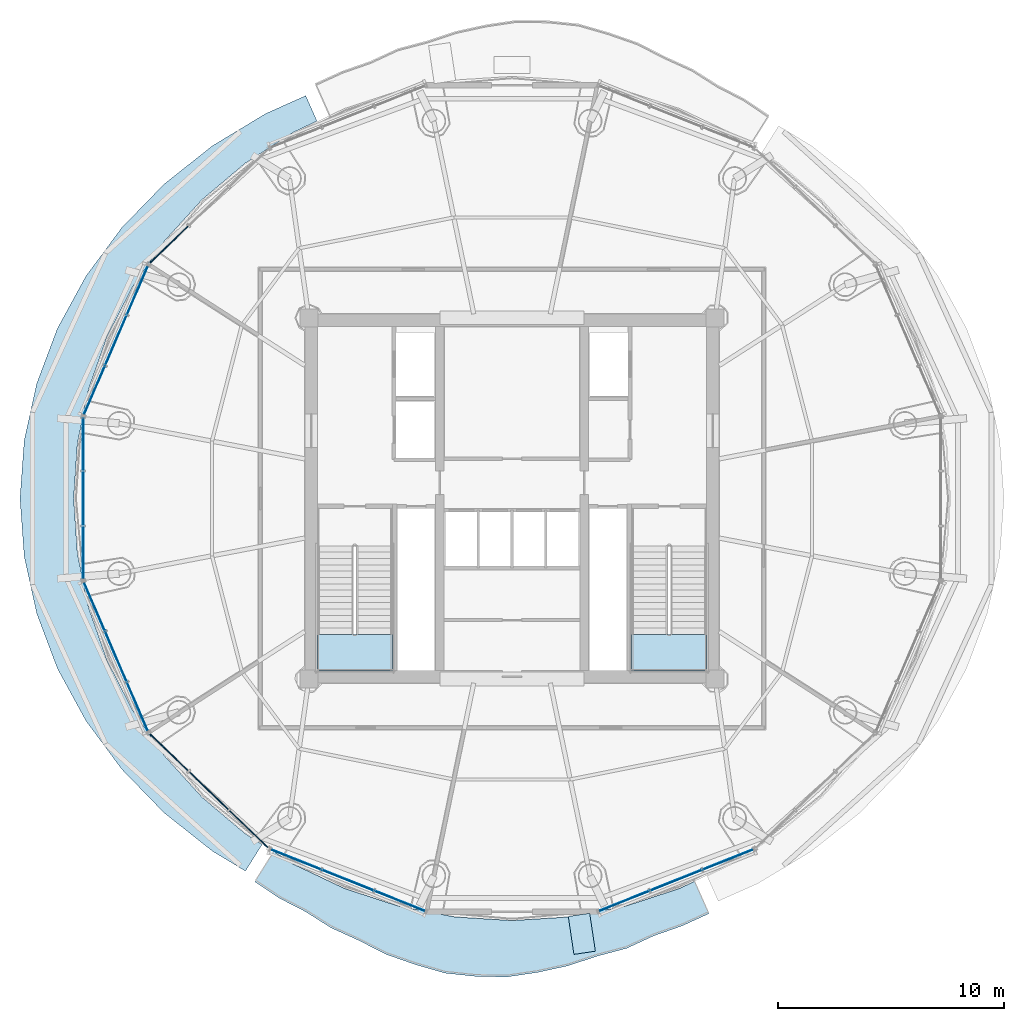
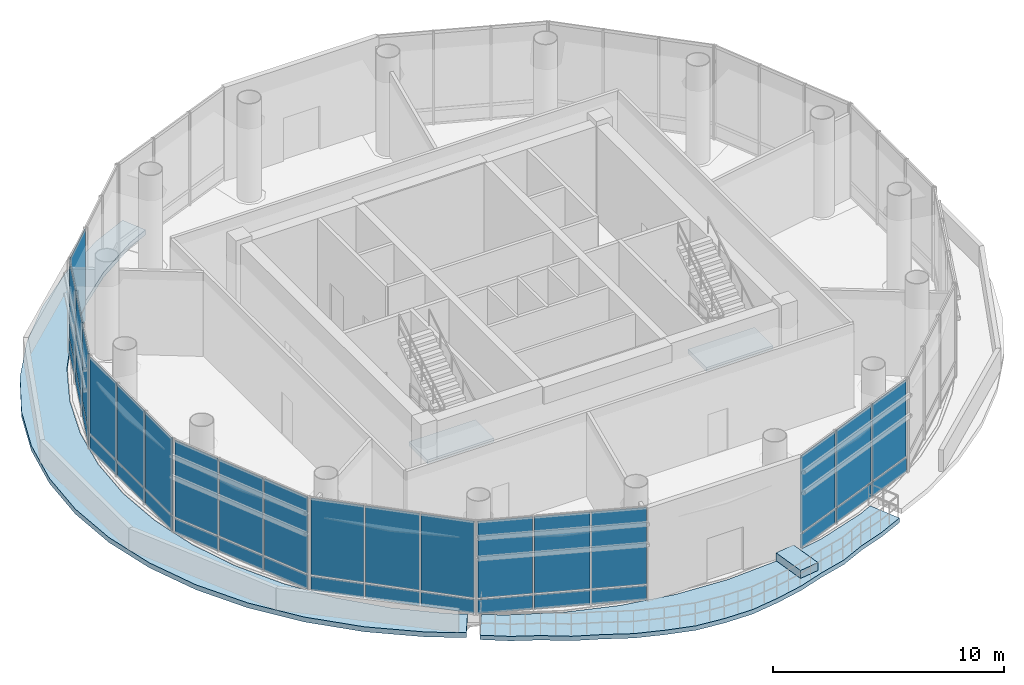
# One storey, part 14 of 22: 38 plates, 5 slabs, 9 elements without a shape of their own.
"""IFC4 building model written with IfcOpenShell, lengths in metres."""

from ifc_helpers import new_model, si_unit, direction, frame, origin, origin_2d, place, context, subcontext, project, spatial, polyline, rectangle, outline, extrude, source, transform, mapped, material, layer, layer_set, type_object, element, aggregate, save


model = new_model("IFC4")

# Units and contexts
model_context = context("Model", 3, precision=1e-05, world=origin(), true_north=direction((-0.2419218956, 0.970295726276)))
body_context = subcontext(model_context, "Body", "Model", "MODEL_VIEW")
ifc_project = project(units=[si_unit("LENGTHUNIT", "METRE"), si_unit("AREAUNIT", "SQUARE_METRE"), si_unit("VOLUMEUNIT", "CUBIC_METRE"), si_unit("PLANEANGLEUNIT", "RADIAN"), si_unit("MASSUNIT", "GRAM", prefix="KILO")], contexts=[model_context])

# Site, building, storey
site_placement = place(None, origin())
site = spatial("IfcSite", under=ifc_project, at=site_placement, CompositionType="ELEMENT")
building_placement = place(site_placement, origin())
building = spatial("IfcBuilding", under=site, at=building_placement, Name="Cobrevalo Terracotta Tower", CompositionType="ELEMENT")
storey_placement = place(building_placement, frame((0.0, 0.0, 243.0)))
storey = spatial("IfcBuildingStorey", under=building, at=storey_placement, Name="L64", CompositionType="ELEMENT", Elevation=243.0)

# Stair, slab
ifc_material_1 = material(Name="Concrete C50", Category="concrete")
stair_type = type_object("IfcStairType", Name="Core protected escape dogleg stair 1600", PredefinedType="HALF_TURN_STAIR", material=ifc_material_1)
stair_1_placement = place(storey_placement, origin())
stair_1 = element("IfcStair", 1, at=stair_1_placement, inside=storey, type_object=stair_type, Name="L64 Protected exit stair ST-1", PredefinedType="HALF_TURN_STAIR")
ifc_layer_1 = layer(ifc_material_1, 0.199951171875)
ifc_layer_set_1 = layer_set([ifc_layer_1], Name="Concrete C50")
slab_type_1 = type_object("IfcSlabType", Name="Reinforced Concrete Stair Landing 200", PredefinedType="LANDING", material=ifc_layer_set_1)
slab_1_placement = place(storey_placement, frame((0.0, 0.0, 2.39990234375)))
slab_1 = element("IfcSlab", 2, at=slab_1_placement, type_object=slab_type_1, Name="ST-1 landing 1", PredefinedType="LANDING", context=body_context, shape_type="SweptSolid", body=[
    extrude(outline(polyline([(29.375, 20.780029296875), (29.375, 19.175048828125), (32.695068359375, 19.175048828125), (32.695068359375, 20.780029296875), (29.375, 20.780029296875)])), origin(), (0.0, 0.0, 1.0), 0.2001953125),
])
aggregate(stair_1, [slab_1])

stair_2_placement = place(storey_placement, origin())
stair_2 = element("IfcStair", 3, at=stair_2_placement, inside=storey, type_object=stair_type, Name="L64 Protected exit stair ST-2", PredefinedType="HALF_TURN_STAIR")
slab_2_placement = place(storey_placement, frame((0.0, 0.0, 2.39990234375)))
slab_2 = element("IfcSlab", 4, at=slab_2_placement, type_object=slab_type_1, Name="ST-2 landing 1", PredefinedType="LANDING", context=body_context, shape_type="SweptSolid", body=[
    extrude(outline(polyline([(43.304931640625, 20.780029296875), (43.304931640625, 19.175048828125), (46.625, 19.175048828125), (46.625, 20.780029296875), (43.304931640625, 20.780029296875)])), origin(), (0.0, 0.0, 1.0), 0.2001953125),
])
aggregate(stair_2, [slab_2])

# Slabs
ifc_material_2 = material(Name="Concrete C45", Category="concrete")
ifc_layer_2 = layer(ifc_material_2, 0.235107421875)
ifc_layer_set_2 = layer_set([ifc_layer_2], Name="Concrete C45")
slab_type_2 = type_object("IfcSlabType", Name="Sky-terrace & stepped lobe balcony slab 235 mm", PredefinedType="FLOOR", material=ifc_layer_set_2)
slab_3_placement = place(storey_placement, frame((0.0, 0.0, -0.235107421875)))
element("IfcSlab", 5, at=slab_3_placement, inside=storey, type_object=slab_type_2, Name="L64 spiralling arc balcony slab lobe 2", PredefinedType="FLOOR", context=body_context, shape_type="SweptSolid", body=[
    extrude(outline(polyline([(26.6025390625, 9.822021484375), (27.68798828125, 9.090576171875), (28.8564453125, 8.488525390625), (29.98583984375, 7.7734375), (31.20458984375, 7.220947265625), (32.423583984375, 6.598388671875), (33.715576171875, 6.148193359375), (35.04052734375, 5.765869140625), (36.407958984375, 5.622314453125), (37.783203125, 5.599365234375), (39.146728515625, 5.802734375), (40.485595703125, 6.0947265625), (41.78076171875, 6.522705078125), (43.072998046875, 6.865234375), (44.290771484375, 7.426025390625), (45.533447265625, 7.8603515625), (46.725830078125, 8.404541015625), (46.090576171875, 9.838134765625), (45.4248046875, 9.521484375), (43.021728515625, 8.7353515625), (40.532470703125, 8.258056640625), (38.0, 8.097900390625), (35.467529296875, 8.258056640625), (32.978271484375, 8.7353515625), (30.5751953125, 9.521484375), (28.299072265625, 10.603515625), (27.43994140625, 11.156982421875), (26.6025390625, 9.822021484375)])), origin(), (0.0, 0.0, 1.0), 0.235107421875),
])
ifc_material_3 = material(Name="Precast concrete C45", Category="concrete")
ifc_layer_3 = layer(ifc_material_3, 0.419921875)
ifc_layer_set_3 = layer_set([ifc_layer_3], Name="Precast concrete C45")
slab_type_3 = type_object("IfcSlabType", Name="Structural tree planter trough base 420 mm", PredefinedType="USERDEFINED", material=ifc_layer_set_3)
slab_4_placement = place(storey_placement, origin())
element("IfcSlab", 6, at=slab_4_placement, inside=storey, type_object=slab_type_3, Name="L64 structural tree planter trough 2", ObjectType="PLANTER", PredefinedType="USERDEFINED", context=body_context, shape_type="SweptSolid", body=[
    extrude(outline(polyline([(40.4931640625, 8.279541015625), (40.744384765625, 6.59814453125), (41.69384765625, 6.739990234375), (41.442626953125, 8.42138671875), (40.4931640625, 8.279541015625)])), origin(), (0.0, 0.0, 1.0), 0.419921875),
])
ifc_layer_4 = layer(ifc_material_2, 0.260009765625)
ifc_layer_set_4 = layer_set([ifc_layer_4], Name="Concrete C45")
slab_type_4 = type_object("IfcSlabType", Name="Zone setback structural roof slab 260 mm", PredefinedType="ROOF", material=ifc_layer_set_4)
slab_5_placement = place(storey_placement, frame((0.0, 0.0, -0.260009765625)))
element("IfcSlab", 7, at=slab_5_placement, inside=storey, type_object=slab_type_4, Name="L64 zone setback roof collar slab 2", PredefinedType="ROOF", context=body_context, shape_type="SweptSolid", body=[
    extrude(outline(polyline([(24.72900390625, 11.1708984375), (22.5849609375, 12.8701171875), (20.704833984375, 14.807373046875), (19.12060546875, 16.949951171875), (17.859375, 19.26123046875), (16.94287109375, 21.701171875), (16.386474609375, 24.228515625), (16.199951171875, 26.800048828125), (16.386474609375, 29.371337890625), (16.94287109375, 31.898681640625), (17.859375, 34.3388671875), (19.12060546875, 36.64990234375), (20.704833984375, 38.79248046875), (22.5849609375, 40.72998046875), (24.72900390625, 42.428955078125), (27.10009765625, 43.860595703125), (28.861572265625, 44.645751953125), (29.360107421875, 43.520751953125), (28.2900390625, 43.011962890625), (26.177734375, 41.651611328125), (24.26806640625, 40.037109375), (22.593017578125, 38.196044921875), (21.181884765625, 36.159912109375), (20.058349609375, 33.9638671875), (19.24169921875, 31.64501953125), (18.74609375, 29.243408203125), (18.580078125, 26.800048828125), (18.74609375, 24.3564453125), (19.24169921875, 21.954833984375), (20.058349609375, 19.63623046875), (21.181884765625, 17.43994140625), (22.593017578125, 15.404052734375), (24.26806640625, 13.56298828125), (26.177734375, 11.948486328125), (26.92578125, 11.466552734375), (26.18798828125, 10.2900390625), (24.72900390625, 11.1708984375)])), origin(), (0.0, 0.0, 1.0), 0.260009765625),
])

# Curtain wall, plates
ifc_material_4 = material(Name="Anodized aluminium", Category="aluminium")
curtain_wall_type = type_object("IfcCurtainWallType", Name="Double-height sky-lobby panoramic curtain wall CW-SK", PredefinedType="NOTDEFINED", material=ifc_material_4)
curtain_wall_1_placement = place(storey_placement, origin())
curtain_wall_1 = element("IfcCurtainWall", 8, at=curtain_wall_1_placement, inside=storey, type_object=curtain_wall_type, Name="L64 curtain wall CW-SK-L64-S07", PredefinedType="NOTDEFINED")
ifc_material_5 = material(Name="Terracotta-faced insulated spandrel", Category="masonry")
ifc_layer_5 = layer(ifc_material_5, 0.044921875)
ifc_layer_set_5 = layer_set([ifc_layer_5], Name="Terracotta-faced insulated spandrel")
plate_type_1 = type_object("IfcPlateType", Name="Insulated terracotta-faced spandrel cassette 45 mm", PredefinedType="CURTAIN_PANEL", material=ifc_layer_set_5)
shared_shape_1 = source(origin(), body_context, "Body", "SweptSolid", [
    extrude(rectangle(XDim=2.32177734375, YDim=0.044921875, at=origin_2d()), origin(), (0.0, 0.0, 1.0), 0.739990234375),
])
plate_1_placement = place(storey_placement, frame((21.404541015625, 36.032470703125, 0.0400390625), z_axis=(0.0, 0.0, 1.0), x_axis=(-0.394828845134, -0.918754691444, 0.0)))
plate_1 = element("IfcPlate", 9, at=plate_1_placement, type_object=plate_type_1, Name="CW-SK-L64-S07 terracotta spandrel panel B01", PredefinedType="CURTAIN_PANEL", context=body_context, shape_type="MappedRepresentation", body=[
    mapped(shared_shape_1, transform((0.0, 0.0, 0.0), scale=1.0)),
])
plate_2_placement = place(storey_placement, frame((19.4921875, 31.58251953125, 0.0400390625), z_axis=(0.0, 0.0, 1.0), x_axis=(-0.394828845134, -0.918754691444, 0.0)))
plate_2 = element("IfcPlate", 10, at=plate_2_placement, type_object=plate_type_1, Name="CW-SK-L64-S07 terracotta spandrel panel B03", PredefinedType="CURTAIN_PANEL", context=body_context, shape_type="MappedRepresentation", body=[
    mapped(shared_shape_1, transform((0.0, 0.0, 0.0), scale=1.0)),
])

curtain_wall_2_placement = place(storey_placement, origin())
curtain_wall_2 = element("IfcCurtainWall", 11, at=curtain_wall_2_placement, inside=storey, type_object=curtain_wall_type, Name="L64 curtain wall CW-SK-L64-S09", PredefinedType="NOTDEFINED")
plate_3_placement = place(storey_placement, frame((19.4921875, 22.017578125, 0.0400390625), z_axis=(0.0, 0.0, 1.0), x_axis=(0.394828845134, -0.918754691444, 0.0)))
plate_3 = element("IfcPlate", 12, at=plate_3_placement, type_object=plate_type_1, Name="CW-SK-L64-S09 terracotta spandrel panel B01", PredefinedType="CURTAIN_PANEL", context=body_context, shape_type="MappedRepresentation", body=[
    mapped(shared_shape_1, transform((0.0, 0.0, 0.0), scale=1.0)),
])
plate_4_placement = place(storey_placement, frame((21.404541015625, 17.567626953125, 0.0400390625), z_axis=(0.0, 0.0, 1.0), x_axis=(0.394828845134, -0.918754691444, 0.0)))
plate_4 = element("IfcPlate", 13, at=plate_4_placement, type_object=plate_type_1, Name="CW-SK-L64-S09 terracotta spandrel panel B03", PredefinedType="CURTAIN_PANEL", context=body_context, shape_type="MappedRepresentation", body=[
    mapped(shared_shape_1, transform((0.0, 0.0, 0.0), scale=1.0)),
])

# Plate
ifc_material_6 = material(Name="Laminated low-E double glazing", Category="glass")
ifc_layer_6 = layer(ifc_material_6, 0.031982421875)
ifc_layer_set_6 = layer_set([ifc_layer_6], Name="Laminated low-E double glazing")
plate_type_2 = type_object("IfcPlateType", Name="Podium clear acoustic laminated glazing panel 32 mm", PredefinedType="CURTAIN_PANEL", material=ifc_layer_set_6)
shared_shape_2 = source(origin(), body_context, "Body", "SweptSolid", [
    extrude(rectangle(XDim=2.32177734375, YDim=0.035888671875, at=origin_2d()), origin(), (0.0, 0.0, 1.0), 4.0400390625),
])
plate_5_placement = place(storey_placement, frame((21.404541015625, 36.032470703125, 0.85986328125), z_axis=(0.0, 0.0, 1.0), x_axis=(-0.394828845134, -0.918754691444, 0.0)))
plate_5 = element("IfcPlate", 14, at=plate_5_placement, type_object=plate_type_2, Name="CW-SK-L64-S07 glazing panel B01", PredefinedType="CURTAIN_PANEL", context=body_context, shape_type="MappedRepresentation", body=[
    mapped(shared_shape_2, transform((0.0, 0.0, 0.0), scale=1.0)),
])

plate_6_placement = place(storey_placement, frame((19.4921875, 31.58251953125, 0.85986328125), z_axis=(0.0, 0.0, 1.0), x_axis=(-0.394828845134, -0.918754691444, 0.0)))
plate_6 = element("IfcPlate", 15, at=plate_6_placement, type_object=plate_type_2, Name="CW-SK-L64-S07 glazing panel B03", PredefinedType="CURTAIN_PANEL", context=body_context, shape_type="MappedRepresentation", body=[
    mapped(shared_shape_2, transform((0.0, 0.0, 0.0), scale=1.0)),
])

plate_7_placement = place(storey_placement, frame((19.4921875, 22.017578125, 0.85986328125), z_axis=(0.0, 0.0, 1.0), x_axis=(0.394828845134, -0.918754691444, 0.0)))
plate_7 = element("IfcPlate", 16, at=plate_7_placement, type_object=plate_type_2, Name="CW-SK-L64-S09 glazing panel B01", PredefinedType="CURTAIN_PANEL", context=body_context, shape_type="MappedRepresentation", body=[
    mapped(shared_shape_2, transform((0.0, 0.0, 0.0), scale=1.0)),
])

plate_8_placement = place(storey_placement, frame((21.404541015625, 17.567626953125, 0.85986328125), z_axis=(0.0, 0.0, 1.0), x_axis=(0.394828845134, -0.918754691444, 0.0)))
plate_8 = element("IfcPlate", 17, at=plate_8_placement, type_object=plate_type_2, Name="CW-SK-L64-S09 glazing panel B03", PredefinedType="CURTAIN_PANEL", context=body_context, shape_type="MappedRepresentation", body=[
    mapped(shared_shape_2, transform((0.0, 0.0, 0.0), scale=1.0)),
])

shared_shape_3 = source(origin(), body_context, "Body", "SweptSolid", [
    extrude(rectangle(XDim=2.36181640625, YDim=0.044921875, at=origin_2d()), origin(), (0.0, 0.0, 1.0), 0.739990234375),
])
plate_9_placement = place(storey_placement, frame((20.4482421875, 33.807373046875, 0.0400390625), z_axis=(0.0, 0.0, 1.0), x_axis=(-0.394828845134, -0.918754691444, 0.0)))
plate_9 = element("IfcPlate", 18, at=plate_9_placement, type_object=plate_type_1, Name="CW-SK-L64-S07 terracotta spandrel panel B02", PredefinedType="CURTAIN_PANEL", context=body_context, shape_type="MappedRepresentation", body=[
    mapped(shared_shape_3, transform((0.0, 0.0, 0.0), scale=1.0)),
])

plate_10_placement = place(storey_placement, frame((20.4482421875, 19.79248046875, 0.0400390625), z_axis=(0.0, 0.0, 1.0), x_axis=(0.394828845134, -0.918754691444, 0.0)))
plate_10 = element("IfcPlate", 19, at=plate_10_placement, type_object=plate_type_1, Name="CW-SK-L64-S09 terracotta spandrel panel B02", PredefinedType="CURTAIN_PANEL", context=body_context, shape_type="MappedRepresentation", body=[
    mapped(shared_shape_3, transform((0.0, 0.0, 0.0), scale=1.0)),
])

shared_shape_4 = source(origin(), body_context, "Body", "SweptSolid", [
    extrude(rectangle(XDim=2.36181640625, YDim=0.035888671875, at=origin_2d()), origin(), (0.0, 0.0, 1.0), 4.0400390625),
])
plate_11_placement = place(storey_placement, frame((20.4482421875, 33.807373046875, 0.85986328125), z_axis=(0.0, 0.0, 1.0), x_axis=(-0.394828845134, -0.918754691444, 0.0)))
plate_11 = element("IfcPlate", 20, at=plate_11_placement, type_object=plate_type_2, Name="CW-SK-L64-S07 glazing panel B02", PredefinedType="CURTAIN_PANEL", context=body_context, shape_type="MappedRepresentation", body=[
    mapped(shared_shape_4, transform((0.0, 0.0, 0.0), scale=1.0)),
])

aggregate(curtain_wall_1, [plate_1, plate_5, plate_9, plate_11, plate_2, plate_6])

plate_12_placement = place(storey_placement, frame((20.4482421875, 19.79248046875, 0.85986328125), z_axis=(0.0, 0.0, 1.0), x_axis=(0.394828845134, -0.918754691444, 0.0)))
plate_12 = element("IfcPlate", 21, at=plate_12_placement, type_object=plate_type_2, Name="CW-SK-L64-S09 glazing panel B02", PredefinedType="CURTAIN_PANEL", context=body_context, shape_type="MappedRepresentation", body=[
    mapped(shared_shape_4, transform((0.0, 0.0, 0.0), scale=1.0)),
])

aggregate(curtain_wall_2, [plate_3, plate_7, plate_10, plate_12, plate_4, plate_8])

# Curtain wall, plate
curtain_wall_3_placement = place(storey_placement, origin())
curtain_wall_3 = element("IfcCurtainWall", 22, at=curtain_wall_3_placement, inside=storey, type_object=curtain_wall_type, Name="L64 curtain wall CW-SK-L64-S06", PredefinedType="NOTDEFINED")
shared_shape_5 = source(origin(), body_context, "Body", "SweptSolid", [
    extrude(rectangle(XDim=2.354248046875, YDim=0.044921875, at=origin_2d()), origin(), (0.0, 0.0, 1.0), 0.739990234375),
])
plate_13_placement = place(storey_placement, frame((22.799560546875, 38.044921875, 0.0400390625), z_axis=(0.0, 0.0, 1.0), x_axis=(-0.719996603293, -0.693977586992, 0.0)))
plate_13 = element("IfcPlate", 23, at=plate_13_placement, type_object=plate_type_1, Name="CW-SK-L64-S06 terracotta spandrel panel B03", PredefinedType="CURTAIN_PANEL", context=body_context, shape_type="MappedRepresentation", body=[
    mapped(shared_shape_5, transform((0.0, 0.0, 0.0), scale=1.0)),
])

# Curtain wall, plates
curtain_wall_4_placement = place(storey_placement, origin())
curtain_wall_4 = element("IfcCurtainWall", 24, at=curtain_wall_4_placement, inside=storey, type_object=curtain_wall_type, Name="L64 curtain wall CW-SK-L64-S10", PredefinedType="NOTDEFINED")
plate_14_placement = place(storey_placement, frame((22.799560546875, 15.55517578125, 0.0400390625), z_axis=(0.0, 0.0, 1.0), x_axis=(0.719996603293, -0.693977586992, 0.0)))
plate_14 = element("IfcPlate", 25, at=plate_14_placement, type_object=plate_type_1, Name="CW-SK-L64-S10 terracotta spandrel panel B01", PredefinedType="CURTAIN_PANEL", context=body_context, shape_type="MappedRepresentation", body=[
    mapped(shared_shape_5, transform((0.0, 0.0, 0.0), scale=1.0)),
])
plate_15_placement = place(storey_placement, frame((26.33349609375, 12.14892578125, 0.0400390625), z_axis=(0.0, 0.0, 1.0), x_axis=(0.719996603293, -0.693977586992, 0.0)))
plate_15 = element("IfcPlate", 26, at=plate_15_placement, type_object=plate_type_1, Name="CW-SK-L64-S10 terracotta spandrel panel B03", PredefinedType="CURTAIN_PANEL", context=body_context, shape_type="MappedRepresentation", body=[
    mapped(shared_shape_5, transform((0.0, 0.0, 0.0), scale=1.0)),
])

# Plate
shared_shape_6 = source(origin(), body_context, "Body", "SweptSolid", [
    extrude(rectangle(XDim=2.354248046875, YDim=0.035888671875, at=origin_2d()), origin(), (0.0, 0.0, 1.0), 4.0400390625),
])
plate_16_placement = place(storey_placement, frame((22.799560546875, 38.044921875, 0.85986328125), z_axis=(0.0, 0.0, 1.0), x_axis=(-0.719996603293, -0.693977586992, 0.0)))
plate_16 = element("IfcPlate", 27, at=plate_16_placement, type_object=plate_type_2, Name="CW-SK-L64-S06 glazing panel B03", PredefinedType="CURTAIN_PANEL", context=body_context, shape_type="MappedRepresentation", body=[
    mapped(shared_shape_6, transform((0.0, 0.0, 0.0), scale=1.0)),
])

aggregate(curtain_wall_3, [plate_13, plate_16])

plate_17_placement = place(storey_placement, frame((22.799560546875, 15.55517578125, 0.85986328125), z_axis=(0.0, 0.0, 1.0), x_axis=(0.719996603293, -0.693977586992, 0.0)))
plate_17 = element("IfcPlate", 28, at=plate_17_placement, type_object=plate_type_2, Name="CW-SK-L64-S10 glazing panel B01", PredefinedType="CURTAIN_PANEL", context=body_context, shape_type="MappedRepresentation", body=[
    mapped(shared_shape_6, transform((0.0, 0.0, 0.0), scale=1.0)),
])

plate_18_placement = place(storey_placement, frame((26.33349609375, 12.14892578125, 0.85986328125), z_axis=(0.0, 0.0, 1.0), x_axis=(0.719996603293, -0.693977586992, 0.0)))
plate_18 = element("IfcPlate", 29, at=plate_18_placement, type_object=plate_type_2, Name="CW-SK-L64-S10 glazing panel B03", PredefinedType="CURTAIN_PANEL", context=body_context, shape_type="MappedRepresentation", body=[
    mapped(shared_shape_6, transform((0.0, 0.0, 0.0), scale=1.0)),
])

shared_shape_7 = source(origin(), body_context, "Body", "SweptSolid", [
    extrude(rectangle(XDim=2.394287109375, YDim=0.044921875, at=origin_2d()), origin(), (0.0, 0.0, 1.0), 0.739990234375),
])
plate_19_placement = place(storey_placement, frame((24.56640625, 13.85205078125, 0.0400390625), z_axis=(0.0, 0.0, 1.0), x_axis=(0.719996603293, -0.693977586992, 0.0)))
plate_19 = element("IfcPlate", 30, at=plate_19_placement, type_object=plate_type_1, Name="CW-SK-L64-S10 terracotta spandrel panel B02", PredefinedType="CURTAIN_PANEL", context=body_context, shape_type="MappedRepresentation", body=[
    mapped(shared_shape_7, transform((0.0, 0.0, 0.0), scale=1.0)),
])

shared_shape_8 = source(origin(), body_context, "Body", "SweptSolid", [
    extrude(rectangle(XDim=2.394287109375, YDim=0.035888671875, at=origin_2d()), origin(), (0.0, 0.0, 1.0), 4.0400390625),
])
plate_20_placement = place(storey_placement, frame((24.56640625, 13.85205078125, 0.85986328125), z_axis=(0.0, 0.0, 1.0), x_axis=(0.719996603293, -0.693977586992, 0.0)))
plate_20 = element("IfcPlate", 31, at=plate_20_placement, type_object=plate_type_2, Name="CW-SK-L64-S10 glazing panel B02", PredefinedType="CURTAIN_PANEL", context=body_context, shape_type="MappedRepresentation", body=[
    mapped(shared_shape_8, transform((0.0, 0.0, 0.0), scale=1.0)),
])

aggregate(curtain_wall_4, [plate_14, plate_17, plate_19, plate_20, plate_15, plate_18])

# Curtain wall, plates
curtain_wall_5_placement = place(storey_placement, origin())
curtain_wall_5 = element("IfcCurtainWall", 32, at=curtain_wall_5_placement, inside=storey, type_object=curtain_wall_type, Name="L64 curtain wall CW-SK-L64-S11", PredefinedType="NOTDEFINED")
shared_shape_9 = source(origin(), body_context, "Body", "SweptSolid", [
    extrude(rectangle(XDim=2.385986328125, YDim=0.044921875, at=origin_2d()), origin(), (0.0, 0.0, 1.0), 0.739990234375),
])
plate_21_placement = place(storey_placement, frame((28.4208984375, 10.804443359375, 0.0400390625), z_axis=(0.0, 0.0, 1.0), x_axis=(0.92871833374, -0.370785998353, 0.0)))
plate_21 = element("IfcPlate", 33, at=plate_21_placement, type_object=plate_type_1, Name="CW-SK-L64-S11 terracotta spandrel panel B01", PredefinedType="CURTAIN_PANEL", context=body_context, shape_type="MappedRepresentation", body=[
    mapped(shared_shape_9, transform((0.0, 0.0, 0.0), scale=1.0)),
])
plate_22_placement = place(storey_placement, frame((33.038818359375, 8.960693359375, 0.0400390625), z_axis=(0.0, 0.0, 1.0), x_axis=(0.92871833374, -0.370785998353, 0.0)))
plate_22 = element("IfcPlate", 34, at=plate_22_placement, type_object=plate_type_1, Name="CW-SK-L64-S11 terracotta spandrel panel B03", PredefinedType="CURTAIN_PANEL", context=body_context, shape_type="MappedRepresentation", body=[
    mapped(shared_shape_9, transform((0.0, 0.0, 0.0), scale=1.0)),
])

curtain_wall_6_placement = place(storey_placement, origin())
curtain_wall_6 = element("IfcCurtainWall", 35, at=curtain_wall_6_placement, inside=storey, type_object=curtain_wall_type, Name="L64 curtain wall CW-SK-L64-S13", PredefinedType="NOTDEFINED")
plate_23_placement = place(storey_placement, frame((42.961181640625, 8.960693359375, 0.0400390625), z_axis=(0.0, 0.0, 1.0), x_axis=(0.92871833374, 0.370785998353, 0.0)))
plate_23 = element("IfcPlate", 36, at=plate_23_placement, type_object=plate_type_1, Name="CW-SK-L64-S13 terracotta spandrel panel B01", PredefinedType="CURTAIN_PANEL", context=body_context, shape_type="MappedRepresentation", body=[
    mapped(shared_shape_9, transform((0.0, 0.0, 0.0), scale=1.0)),
])
plate_24_placement = place(storey_placement, frame((47.5791015625, 10.804443359375, 0.0400390625), z_axis=(0.0, 0.0, 1.0), x_axis=(0.92871833374, 0.370785998353, 0.0)))
plate_24 = element("IfcPlate", 37, at=plate_24_placement, type_object=plate_type_1, Name="CW-SK-L64-S13 terracotta spandrel panel B03", PredefinedType="CURTAIN_PANEL", context=body_context, shape_type="MappedRepresentation", body=[
    mapped(shared_shape_9, transform((0.0, 0.0, 0.0), scale=1.0)),
])

# Plate
shared_shape_10 = source(origin(), body_context, "Body", "SweptSolid", [
    extrude(rectangle(XDim=2.385986328125, YDim=0.035888671875, at=origin_2d()), origin(), (0.0, 0.0, 1.0), 4.0400390625),
])
plate_25_placement = place(storey_placement, frame((28.4208984375, 10.804443359375, 0.85986328125), z_axis=(0.0, 0.0, 1.0), x_axis=(0.92871833374, -0.370785998353, 0.0)))
plate_25 = element("IfcPlate", 38, at=plate_25_placement, type_object=plate_type_2, Name="CW-SK-L64-S11 glazing panel B01", PredefinedType="CURTAIN_PANEL", context=body_context, shape_type="MappedRepresentation", body=[
    mapped(shared_shape_10, transform((0.0, 0.0, 0.0), scale=1.0)),
])

plate_26_placement = place(storey_placement, frame((33.038818359375, 8.960693359375, 0.85986328125), z_axis=(0.0, 0.0, 1.0), x_axis=(0.92871833374, -0.370785998353, 0.0)))
plate_26 = element("IfcPlate", 39, at=plate_26_placement, type_object=plate_type_2, Name="CW-SK-L64-S11 glazing panel B03", PredefinedType="CURTAIN_PANEL", context=body_context, shape_type="MappedRepresentation", body=[
    mapped(shared_shape_10, transform((0.0, 0.0, 0.0), scale=1.0)),
])

plate_27_placement = place(storey_placement, frame((42.961181640625, 8.960693359375, 0.85986328125), z_axis=(0.0, 0.0, 1.0), x_axis=(0.92871833374, 0.370785998353, 0.0)))
plate_27 = element("IfcPlate", 40, at=plate_27_placement, type_object=plate_type_2, Name="CW-SK-L64-S13 glazing panel B01", PredefinedType="CURTAIN_PANEL", context=body_context, shape_type="MappedRepresentation", body=[
    mapped(shared_shape_10, transform((0.0, 0.0, 0.0), scale=1.0)),
])

plate_28_placement = place(storey_placement, frame((47.5791015625, 10.804443359375, 0.85986328125), z_axis=(0.0, 0.0, 1.0), x_axis=(0.92871833374, 0.370785998353, 0.0)))
plate_28 = element("IfcPlate", 41, at=plate_28_placement, type_object=plate_type_2, Name="CW-SK-L64-S13 glazing panel B03", PredefinedType="CURTAIN_PANEL", context=body_context, shape_type="MappedRepresentation", body=[
    mapped(shared_shape_10, transform((0.0, 0.0, 0.0), scale=1.0)),
])

shared_shape_11 = source(origin(), body_context, "Body", "SweptSolid", [
    extrude(rectangle(XDim=2.426025390625, YDim=0.044921875, at=origin_2d()), origin(), (0.0, 0.0, 1.0), 0.739990234375),
])
plate_29_placement = place(storey_placement, frame((30.729736328125, 9.882568359375, 0.0400390625), z_axis=(0.0, 0.0, 1.0), x_axis=(0.92871833374, -0.370785998353, 0.0)))
plate_29 = element("IfcPlate", 42, at=plate_29_placement, type_object=plate_type_1, Name="CW-SK-L64-S11 terracotta spandrel panel B02", PredefinedType="CURTAIN_PANEL", context=body_context, shape_type="MappedRepresentation", body=[
    mapped(shared_shape_11, transform((0.0, 0.0, 0.0), scale=1.0)),
])

plate_30_placement = place(storey_placement, frame((45.270263671875, 9.882568359375, 0.0400390625), z_axis=(0.0, 0.0, 1.0), x_axis=(0.92871833374, 0.370785998353, 0.0)))
plate_30 = element("IfcPlate", 43, at=plate_30_placement, type_object=plate_type_1, Name="CW-SK-L64-S13 terracotta spandrel panel B02", PredefinedType="CURTAIN_PANEL", context=body_context, shape_type="MappedRepresentation", body=[
    mapped(shared_shape_11, transform((0.0, 0.0, 0.0), scale=1.0)),
])

shared_shape_12 = source(origin(), body_context, "Body", "SweptSolid", [
    extrude(rectangle(XDim=2.426025390625, YDim=0.035888671875, at=origin_2d()), origin(), (0.0, 0.0, 1.0), 4.0400390625),
])
plate_31_placement = place(storey_placement, frame((30.729736328125, 9.882568359375, 0.85986328125), z_axis=(0.0, 0.0, 1.0), x_axis=(0.92871833374, -0.370785998353, 0.0)))
plate_31 = element("IfcPlate", 44, at=plate_31_placement, type_object=plate_type_2, Name="CW-SK-L64-S11 glazing panel B02", PredefinedType="CURTAIN_PANEL", context=body_context, shape_type="MappedRepresentation", body=[
    mapped(shared_shape_12, transform((0.0, 0.0, 0.0), scale=1.0)),
])

aggregate(curtain_wall_5, [plate_21, plate_25, plate_29, plate_31, plate_22, plate_26])

plate_32_placement = place(storey_placement, frame((45.270263671875, 9.882568359375, 0.85986328125), z_axis=(0.0, 0.0, 1.0), x_axis=(0.92871833374, 0.370785998353, 0.0)))
plate_32 = element("IfcPlate", 45, at=plate_32_placement, type_object=plate_type_2, Name="CW-SK-L64-S13 glazing panel B02", PredefinedType="CURTAIN_PANEL", context=body_context, shape_type="MappedRepresentation", body=[
    mapped(shared_shape_12, transform((0.0, 0.0, 0.0), scale=1.0)),
])

aggregate(curtain_wall_6, [plate_23, plate_27, plate_30, plate_32, plate_24, plate_28])

# Curtain wall, plates
curtain_wall_7_placement = place(storey_placement, origin())
curtain_wall_7 = element("IfcCurtainWall", 46, at=curtain_wall_7_placement, inside=storey, type_object=curtain_wall_type, Name="L64 curtain wall CW-SK-L64-S08", PredefinedType="NOTDEFINED")
shared_shape_13 = source(origin(), body_context, "Body", "SweptSolid", [
    extrude(rectangle(XDim=2.30810546875, YDim=0.044921875, at=origin_2d()), origin(), (0.0, 0.0, 1.0), 0.739990234375),
])
plate_33_placement = place(storey_placement, frame((19.002197265625, 29.208251953125, 0.0400390625), z_axis=(0.0, 0.0, 1.0), x_axis=(0.0, -1.0, 0.0)))
plate_33 = element("IfcPlate", 47, at=plate_33_placement, type_object=plate_type_1, Name="CW-SK-L64-S08 terracotta spandrel panel B01", PredefinedType="CURTAIN_PANEL", context=body_context, shape_type="MappedRepresentation", body=[
    mapped(shared_shape_13, transform((0.0, 0.0, 0.0), scale=1.0)),
])
plate_34_placement = place(storey_placement, frame((19.002197265625, 24.391845703125, 0.0400390625), z_axis=(0.0, 0.0, 1.0), x_axis=(0.0, -1.0, 0.0)))
plate_34 = element("IfcPlate", 48, at=plate_34_placement, type_object=plate_type_1, Name="CW-SK-L64-S08 terracotta spandrel panel B03", PredefinedType="CURTAIN_PANEL", context=body_context, shape_type="MappedRepresentation", body=[
    mapped(shared_shape_13, transform((0.0, 0.0, 0.0), scale=1.0)),
])
shared_shape_14 = source(origin(), body_context, "Body", "SweptSolid", [
    extrude(rectangle(XDim=2.30810546875, YDim=0.035888671875, at=origin_2d()), origin(), (0.0, 0.0, 1.0), 4.0400390625),
])
plate_35_placement = place(storey_placement, frame((19.002197265625, 29.208251953125, 0.85986328125), z_axis=(0.0, 0.0, 1.0), x_axis=(0.0, -1.0, 0.0)))
plate_35 = element("IfcPlate", 49, at=plate_35_placement, type_object=plate_type_2, Name="CW-SK-L64-S08 glazing panel B01", PredefinedType="CURTAIN_PANEL", context=body_context, shape_type="MappedRepresentation", body=[
    mapped(shared_shape_14, transform((0.0, 0.0, 0.0), scale=1.0)),
])
plate_36_placement = place(storey_placement, frame((19.002197265625, 24.391845703125, 0.85986328125), z_axis=(0.0, 0.0, 1.0), x_axis=(0.0, -1.0, 0.0)))
plate_36 = element("IfcPlate", 50, at=plate_36_placement, type_object=plate_type_2, Name="CW-SK-L64-S08 glazing panel B03", PredefinedType="CURTAIN_PANEL", context=body_context, shape_type="MappedRepresentation", body=[
    mapped(shared_shape_14, transform((0.0, 0.0, 0.0), scale=1.0)),
])
shared_shape_15 = source(origin(), body_context, "Body", "SweptSolid", [
    extrude(rectangle(XDim=2.34814453125, YDim=0.044921875, at=origin_2d()), origin(), (0.0, 0.0, 1.0), 0.739990234375),
])
plate_37_placement = place(storey_placement, frame((19.002197265625, 26.800048828125, 0.0400390625), z_axis=(0.0, 0.0, 1.0), x_axis=(0.0, -1.0, 0.0)))
plate_37 = element("IfcPlate", 51, at=plate_37_placement, type_object=plate_type_1, Name="CW-SK-L64-S08 terracotta spandrel panel B02", PredefinedType="CURTAIN_PANEL", context=body_context, shape_type="MappedRepresentation", body=[
    mapped(shared_shape_15, transform((0.0, 0.0, 0.0), scale=1.0)),
])
shared_shape_16 = source(origin(), body_context, "Body", "SweptSolid", [
    extrude(rectangle(XDim=2.34814453125, YDim=0.035888671875, at=origin_2d()), origin(), (0.0, 0.0, 1.0), 4.0400390625),
])
plate_38_placement = place(storey_placement, frame((19.002197265625, 26.800048828125, 0.85986328125), z_axis=(0.0, 0.0, 1.0), x_axis=(0.0, -1.0, 0.0)))
plate_38 = element("IfcPlate", 52, at=plate_38_placement, type_object=plate_type_2, Name="CW-SK-L64-S08 glazing panel B02", PredefinedType="CURTAIN_PANEL", context=body_context, shape_type="MappedRepresentation", body=[
    mapped(shared_shape_16, transform((0.0, 0.0, 0.0), scale=1.0)),
])
aggregate(curtain_wall_7, [plate_33, plate_35, plate_37, plate_38, plate_34, plate_36])

save(model, "model.ifc")
